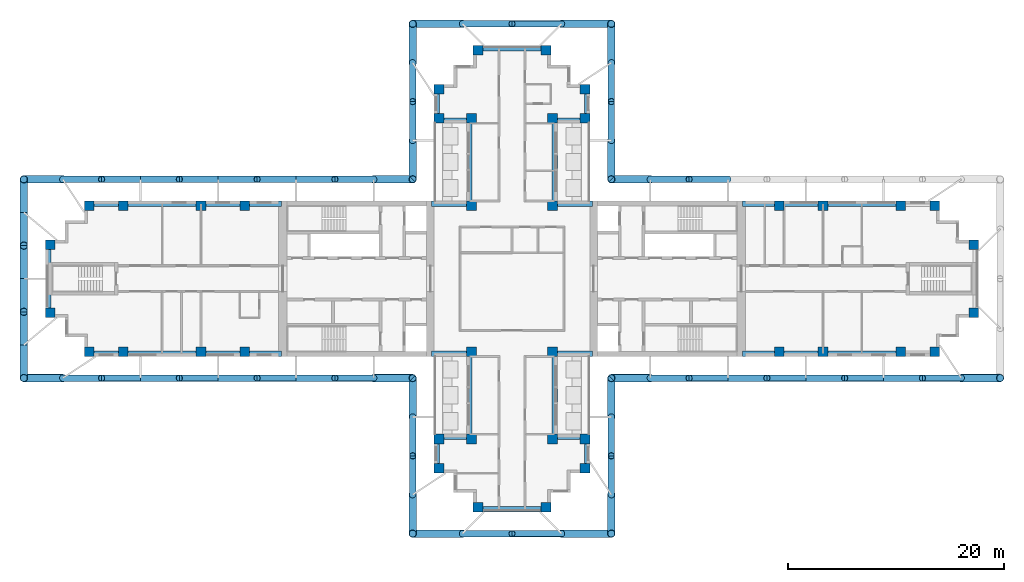
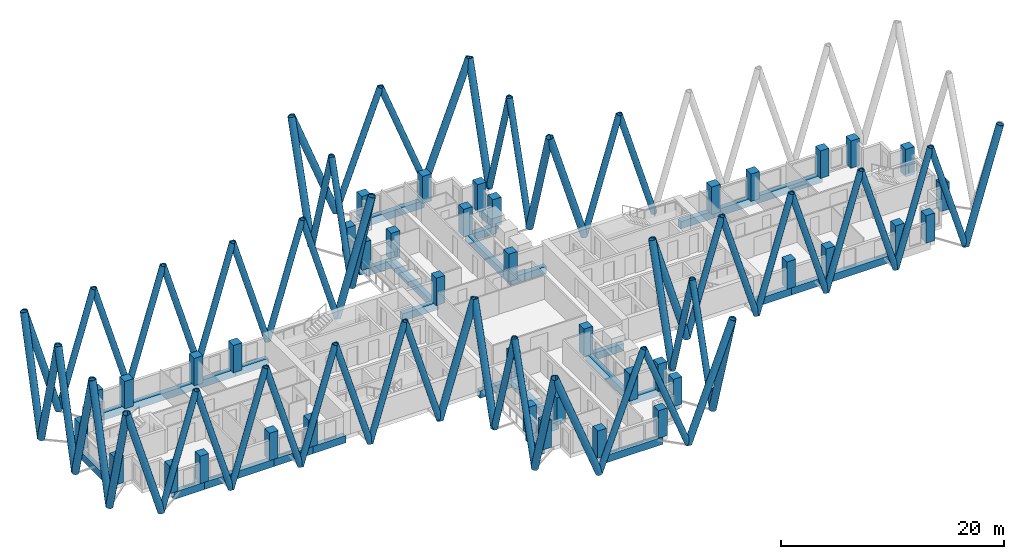
# One storey, part 1 of 12: 63 members, 40 columns, 33 beams.
"""IFC4 building model written with IfcOpenShell, lengths in metres."""

from ifc_helpers import new_model, si_unit, direction, frame, origin, origin_2d, place, context, subcontext, project, spatial, rectangle, hollow_circle, extrude, material, material_profile, profile_set, type_object, element, save


model = new_model("IFC4")

# Units and contexts
model_context = context("Model", 3, precision=1e-05, world=origin(), true_north=direction((0.0, 1.0)))
body_context = subcontext(model_context, "Body", "Model", "MODEL_VIEW")
ifc_project = project(units=[si_unit("LENGTHUNIT", "METRE"), si_unit("AREAUNIT", "SQUARE_METRE"), si_unit("VOLUMEUNIT", "CUBIC_METRE"), si_unit("PLANEANGLEUNIT", "RADIAN"), si_unit("MASSUNIT", "GRAM", prefix="KILO")], contexts=[model_context])

# Site, building, storey
site_placement = place(None, origin())
site = spatial("IfcSite", under=ifc_project, at=site_placement, CompositionType="ELEMENT")
building_placement = place(site_placement, origin())
building = spatial("IfcBuilding", under=site, at=building_placement, Name="Fustian Cross Tower", CompositionType="ELEMENT")
storey_placement = place(building_placement, frame((0.0, 0.0, 141.300048828125)))
storey = spatial("IfcBuildingStorey", under=building, at=storey_placement, Name="L44", CompositionType="ELEMENT", Elevation=141.300048828125)

# Columns
ifc_material_1 = material(Name="Concrete C50/60", Category="concrete")
ifc_material_profile_1 = material_profile(ifc_material_1, rectangle(XDim=0.89990234375, YDim=0.89990234375, at=origin_2d()), Name="RC 900x900")
ifc_profile_set_1 = profile_set([ifc_material_profile_1], Name="Concrete C50/60")
column_type = type_object("IfcColumnType", Name="COLUMN RC 900x900 C50/60", PredefinedType="COLUMN", material=ifc_profile_set_1)
for number, where, z_axis, x_axis, name in (
    (1, (-42.75, -3.14990234375, 0.0), (0.0, 0.0, 1.0), (1.0, 0.0, 0.0), "COLUMN 001"),
    (2, (-42.75, 3.14990234375, 0.0), (0.0, 0.0, 1.0), (1.0, 0.0, 0.0), "COLUMN 002"),
    (3, (-39.14990234375, -6.75, 0.0), (0.0, 0.0, 1.0), (1.0, 0.0, 0.0), "COLUMN 003"),
    (4, (-39.14990234375, 6.75, 0.0), (0.0, 0.0, 1.0), (1.0, 0.0, 0.0), "COLUMN 004"),
    (5, (-36.0, -6.75, 0.0), (0.0, 0.0, 1.0), (1.0, 0.0, 0.0), "COLUMN 005"),
    (6, (-36.0, 6.75, 0.0), (0.0, 0.0, 1.0), (1.0, 0.0, 0.0), "COLUMN 006"),
    (7, (-28.800048828125, -6.75, 0.0), (0.0, 0.0, 1.0), (1.0, 0.0, 0.0), "COLUMN 007"),
    (8, (-28.800048828125, 6.75, 0.0), (0.0, 0.0, 1.0), (1.0, 0.0, 0.0), "COLUMN 010"),
    (9, (-24.75, -6.75, 0.0), (0.0, 0.0, 1.0), (1.0, 0.0, 0.0), "COLUMN 011"),
    (10, (-24.75, 6.75, 0.0), (0.0, 0.0, 1.0), (1.0, 0.0, 0.0), "COLUMN 012"),
    (11, (-6.75, -17.550048828125, 0.0), (0.0, 0.0, 1.0), (1.0, 0.0, 0.0), "COLUMN 017"),
    (12, (-6.75, -14.85009765625, 0.0), (0.0, 0.0, 1.0), (1.0, 0.0, 0.0), "COLUMN 018"),
    (13, (-6.75, 14.85009765625, 0.0), (0.0, 0.0, 1.0), (1.0, 0.0, 0.0), "COLUMN 019"),
    (14, (-6.75, 17.550048828125, 0.0), (0.0, 0.0, 1.0), (1.0, 0.0, 0.0), "COLUMN 020"),
    (15, (-3.75, -14.85009765625, 0.0), (0.0, 0.0, 1.0), (1.0, 0.0, 0.0), "COLUMN 025"),
    (16, (-3.75, -6.75, 0.0), (0.0, 0.0, 1.0), (1.0, 0.0, 0.0), "COLUMN 026"),
    (17, (-3.75, 6.75, 0.0), (0.0, 0.0, 1.0), (1.0, 0.0, 0.0), "COLUMN 027"),
    (18, (-3.75, 14.85009765625, 0.0), (0.0, 0.0, 1.0), (1.0, 0.0, 0.0), "COLUMN 028"),
    (19, (-3.14990234375, -21.14990234375, 0.0), (0.0, 0.0, 1.0), (1.0, 0.0, 0.0), "COLUMN 030"),
    (20, (-3.14990234375, 21.14990234375, 0.0), (0.0, 0.0, 1.0), (1.0, 0.0, 0.0), "COLUMN 031"),
    (21, (3.14990234375, -21.14990234375, 0.0), (0.0, 0.0, 1.0), (1.0, 0.0, 0.0), "COLUMN 034"),
    (22, (3.14990234375, 21.14990234375, 0.0), (0.0, 0.0, 1.0), (1.0, 0.0, 0.0), "COLUMN 035"),
    (23, (3.75, -14.85009765625, 0.0), (0.0, 0.0, 1.0), (1.0, 0.0, 0.0), "COLUMN 037"),
    (24, (3.75, -6.75, 0.0), (0.0, 0.0, 1.0), (1.0, 0.0, 0.0), "COLUMN 038"),
    (25, (3.75, 6.75, 0.0), (0.0, 0.0, 1.0), (1.0, 0.0, 0.0), "COLUMN 039"),
    (26, (3.75, 14.85009765625, 0.0), (0.0, 0.0, 1.0), (1.0, 0.0, 0.0), "COLUMN 040"),
    (27, (6.75, -17.550048828125, 0.0), (0.0, 0.0, 1.0), (1.0, 0.0, 0.0), "COLUMN 045"),
    (28, (6.75, -14.85009765625, 0.0), (0.0, 0.0, 1.0), (1.0, 0.0, 0.0), "COLUMN 046"),
    (29, (6.75, 14.85009765625, 0.0), (0.0, 0.0, 1.0), (1.0, 0.0, 0.0), "COLUMN 047"),
    (30, (6.75, 17.550048828125, 0.0), (0.0, 0.0, 1.0), (1.0, 0.0, 0.0), "COLUMN 048"),
    (31, (24.75, -6.75, 0.0), (0.0, 0.0, 1.0), (1.0, 0.0, 0.0), "COLUMN 053"),
    (32, (24.75, 6.75, 0.0), (0.0, 0.0, 1.0), (1.0, 0.0, 0.0), "COLUMN 054"),
    (33, (28.800048828125, -6.75, 0.0), (0.0, 0.0, 1.0), (1.0, 0.0, 0.0), "COLUMN 055"),
    (34, (28.800048828125, 6.75, 0.0), (0.0, 0.0, 1.0), (1.0, 0.0, 0.0), "COLUMN 058"),
    (35, (36.0, -6.75, 0.0), (0.0, 0.0, 1.0), (1.0, 0.0, 0.0), "COLUMN 059"),
    (36, (36.0, 6.75, 0.0), (0.0, 0.0, 1.0), (1.0, 0.0, 0.0), "COLUMN 060"),
    (37, (39.14990234375, -6.75, 0.0), (0.0, 0.0, 1.0), (1.0, 0.0, 0.0), "COLUMN 061"),
    (38, (39.14990234375, 6.75, 0.0), (0.0, 0.0, 1.0), (1.0, 0.0, 0.0), "COLUMN 062"),
    (39, (42.75, -3.14990234375, 0.0), (0.0, 0.0, 1.0), (1.0, 0.0, 0.0), "COLUMN 063"),
    (40, (42.75, 3.14990234375, 0.0), (0.0, 0.0, 1.0), (1.0, 0.0, 0.0), "COLUMN 064"),
):
    element("IfcColumn", number, at=place(storey_placement, frame(where, z_axis=z_axis, x_axis=x_axis)), inside=storey, type_object=column_type, Name=name, PredefinedType="COLUMN", context=body_context, shape_type="SweptSolid", body=[
        extrude(rectangle(XDim=0.89990234375, YDim=0.89990234375, at=origin_2d()), origin(), (0.0, 0.0, 1.0), 3.0),
    ])

# Members
ifc_material_2 = material(Name="Steel S355", Category="steel")
ifc_material_profile_2 = material_profile(ifc_material_2, hollow_circle(Radius=0.3046875, WallThickness=0.02490234375, at=origin_2d()), Name="CHS 610x25")
ifc_profile_set_2 = profile_set([ifc_material_profile_2], Name="Steel S355")
member_type_1 = type_object("IfcMemberType", Name="DIAGRID DIAGONAL CHS 610x25", PredefinedType="BRACE", material=ifc_profile_set_2)
for number, where, z_axis, x_axis, name in (
    (41, (12.800048828125, -9.199951171875, 0.0), (0.287337158709, 0.0, 0.957829503213), (0.0, 1.0, 0.0), "Diagrid diagonal E-S 02"),
    (42, (20.0, -9.199951171875, 0.0), (-0.287355036744, 0.0, 0.957824139839), (0.0, -1.0, 0.0), "Diagrid diagonal E-S 03"),
    (43, (20.0, -9.199951171875, 0.0), (0.287355036744, 0.0, 0.957824139839), (0.0, 1.0, 0.0), "Diagrid diagonal E-S 04"),
    (44, (27.199951171875, -9.199951171875, 0.0), (-0.287337158709, 0.0, 0.957829503213), (0.0, -1.0, 0.0), "Diagrid diagonal E-S 05"),
    (45, (27.199951171875, -9.199951171875, 0.0), (0.287355036744, 0.0, 0.957824139839), (0.0, 1.0, 0.0), "Diagrid diagonal E-S 06"),
    (46, (34.39990234375, -9.199951171875, 0.0), (-0.287337158709, 0.0, 0.957829503213), (0.0, -1.0, 0.0), "Diagrid diagonal E-S 07"),
    (47, (34.39990234375, -9.199951171875, 0.0), (0.287355036744, 0.0, 0.957824139839), (0.0, 1.0, 0.0), "Diagrid diagonal E-S 08"),
    (48, (41.60009765625, -9.199951171875, 0.0), (-0.287355036744, 0.0, 0.957824139839), (0.0, -1.0, 0.0), "Diagrid diagonal E-S 09"),
    (49, (20.0, 9.199951171875, 0.0), (-0.287355036744, 0.0, 0.957824139839), (0.0, -1.0, 0.0), "Diagrid diagonal E-N 08"),
    (50, (12.800048828125, 9.199951171875, 0.0), (0.287337158709, 0.0, 0.957829503213), (0.0, 1.0, 0.0), "Diagrid diagonal E-N 09"),
    (51, (9.199951171875, 12.800048828125, 0.0), (0.0, 0.287337158709, 0.957829503213), (-1.0, 0.0, 0.0), "Diagrid diagonal N-E 02"),
    (52, (9.199951171875, 20.0, 0.0), (0.0, -0.287355036744, 0.957824139839), (1.0, 0.0, 0.0), "Diagrid diagonal N-E 03"),
):
    element("IfcMember", number, at=place(storey_placement, frame(where, z_axis=z_axis, x_axis=x_axis)), inside=storey, type_object=member_type_1, Name=name, PredefinedType="BRACE", context=body_context, shape_type="SweptSolid", body=[
        extrude(hollow_circle(Radius=0.3046875, WallThickness=0.02490234375, at=origin_2d()), origin(), (0.0, 0.0, 1.0), 12.5283203125),
    ])
for number, where, z_axis, x_axis, name in (
    (53, (4.60009765625, 23.60009765625, 0.0), (-0.3579426369, 0.0, 0.933743577589), (0.0, -1.0, 0.0), "Diagrid diagonal N-end 02"),
    (54, (-4.60009765625, 23.60009765625, 0.0), (0.3579426369, 0.0, 0.933743577589), (0.0, 1.0, 0.0), "Diagrid diagonal N-end 03"),
):
    element("IfcMember", number, at=place(storey_placement, frame(where, z_axis=z_axis, x_axis=x_axis)), inside=storey, type_object=member_type_1, Name=name, PredefinedType="BRACE", context=body_context, shape_type="SweptSolid", body=[
        extrude(hollow_circle(Radius=0.3046875, WallThickness=0.02490234375, at=origin_2d()), origin(), (0.0, 0.0, 1.0), 12.8515625),
    ])
for number, where, z_axis, x_axis, name in (
    (55, (-9.199951171875, 20.0, 0.0), (0.0, -0.287355036744, 0.957824139839), (1.0, 0.0, 0.0), "Diagrid diagonal N-W 02"),
    (56, (-9.199951171875, 12.800048828125, 0.0), (0.0, 0.287337158709, 0.957829503213), (-1.0, 0.0, 0.0), "Diagrid diagonal N-W 03"),
    (57, (-12.800048828125, 9.199951171875, 0.0), (-0.287337158709, 0.0, 0.957829503213), (0.0, -1.0, 0.0), "Diagrid diagonal W-N 02"),
    (58, (-20.0, 9.199951171875, 0.0), (0.287355036744, 0.0, 0.957824139839), (0.0, 1.0, 0.0), "Diagrid diagonal W-N 03"),
    (59, (-20.0, 9.199951171875, 0.0), (-0.287355036744, 0.0, 0.957824139839), (0.0, -1.0, 0.0), "Diagrid diagonal W-N 04"),
    (60, (-27.199951171875, 9.199951171875, 0.0), (0.287337158709, 0.0, 0.957829503213), (0.0, 1.0, 0.0), "Diagrid diagonal W-N 05"),
    (61, (-27.199951171875, 9.199951171875, 0.0), (-0.287355036744, 0.0, 0.957824139839), (0.0, -1.0, 0.0), "Diagrid diagonal W-N 06"),
    (62, (-34.39990234375, 9.199951171875, 0.0), (0.287337158709, 0.0, 0.957829503213), (0.0, 1.0, 0.0), "Diagrid diagonal W-N 07"),
    (63, (-34.39990234375, 9.199951171875, 0.0), (-0.287355036744, 0.0, 0.957824139839), (0.0, -1.0, 0.0), "Diagrid diagonal W-N 08"),
    (64, (-41.60009765625, 9.199951171875, 0.0), (0.287355036744, 0.0, 0.957824139839), (0.0, 1.0, 0.0), "Diagrid diagonal W-N 09"),
    (65, (-41.60009765625, -9.199951171875, 0.0), (0.287355036744, 0.0, 0.957824139839), (0.0, 1.0, 0.0), "Diagrid diagonal W-S 02"),
    (66, (-34.39990234375, -9.199951171875, 0.0), (-0.287355036744, 0.0, 0.957824139839), (0.0, -1.0, 0.0), "Diagrid diagonal W-S 03"),
    (67, (-34.39990234375, -9.199951171875, 0.0), (0.287337158709, 0.0, 0.957829503213), (0.0, 1.0, 0.0), "Diagrid diagonal W-S 04"),
    (68, (-27.199951171875, -9.199951171875, 0.0), (-0.287355036744, 0.0, 0.957824139839), (0.0, -1.0, 0.0), "Diagrid diagonal W-S 05"),
    (69, (-27.199951171875, -9.199951171875, 0.0), (0.287337158709, 0.0, 0.957829503213), (0.0, 1.0, 0.0), "Diagrid diagonal W-S 06"),
    (70, (-20.0, -9.199951171875, 0.0), (-0.287355036744, 0.0, 0.957824139839), (0.0, -1.0, 0.0), "Diagrid diagonal W-S 07"),
    (71, (-20.0, -9.199951171875, 0.0), (0.287355036744, 0.0, 0.957824139839), (0.0, 1.0, 0.0), "Diagrid diagonal W-S 08"),
    (72, (-12.800048828125, -9.199951171875, 0.0), (-0.287337158709, 0.0, 0.957829503213), (0.0, -1.0, 0.0), "Diagrid diagonal W-S 09"),
    (73, (-9.199951171875, -12.800048828125, 0.0), (0.0, -0.287337158709, 0.957829503213), (1.0, 0.0, 0.0), "Diagrid diagonal S-W 02"),
    (74, (-9.199951171875, -20.0, 0.0), (0.0, 0.287355036744, 0.957824139839), (-1.0, 0.0, 0.0), "Diagrid diagonal S-W 03"),
):
    element("IfcMember", number, at=place(storey_placement, frame(where, z_axis=z_axis, x_axis=x_axis)), inside=storey, type_object=member_type_1, Name=name, PredefinedType="BRACE", context=body_context, shape_type="SweptSolid", body=[
        extrude(hollow_circle(Radius=0.3046875, WallThickness=0.02490234375, at=origin_2d()), origin(), (0.0, 0.0, 1.0), 12.5283203125),
    ])
for number, where, z_axis, x_axis, name in (
    (75, (-4.60009765625, -23.60009765625, 0.0), (0.3579426369, 0.0, 0.933743577589), (0.0, 1.0, 0.0), "Diagrid diagonal S-end 02"),
    (76, (4.60009765625, -23.60009765625, 0.0), (-0.3579426369, 0.0, 0.933743577589), (0.0, -1.0, 0.0), "Diagrid diagonal S-end 03"),
):
    element("IfcMember", number, at=place(storey_placement, frame(where, z_axis=z_axis, x_axis=x_axis)), inside=storey, type_object=member_type_1, Name=name, PredefinedType="BRACE", context=body_context, shape_type="SweptSolid", body=[
        extrude(hollow_circle(Radius=0.3046875, WallThickness=0.02490234375, at=origin_2d()), origin(), (0.0, 0.0, 1.0), 12.8515625),
    ])
for number, where, z_axis, x_axis, name in (
    (77, (9.199951171875, -20.0, 0.0), (0.0, 0.287355036744, 0.957824139839), (-1.0, 0.0, 0.0), "Diagrid diagonal S-E 02"),
    (78, (9.199951171875, -12.800048828125, 0.0), (0.0, -0.287337158709, 0.957829503213), (1.0, 0.0, 0.0), "Diagrid diagonal S-E 03"),
):
    element("IfcMember", number, at=place(storey_placement, frame(where, z_axis=z_axis, x_axis=x_axis)), inside=storey, type_object=member_type_1, Name=name, PredefinedType="BRACE", context=body_context, shape_type="SweptSolid", body=[
        extrude(hollow_circle(Radius=0.3046875, WallThickness=0.02490234375, at=origin_2d()), origin(), (0.0, 0.0, 1.0), 12.5283203125),
    ])
ifc_material_3 = material(Name="Steel S355", Category="steel")
ifc_material_profile_3 = material_profile(ifc_material_3, hollow_circle(Radius=0.355712890625, WallThickness=0.031982421875, at=origin_2d()), Name="CHS 711x32")
ifc_profile_set_3 = profile_set([ifc_material_profile_3], Name="Steel S355")
member_type_2 = type_object("IfcMemberType", Name="DIAGRID DIAGONAL CHS 711x32", PredefinedType="BRACE", material=ifc_profile_set_3)
for number, where, z_axis, x_axis, name in (
    (79, (12.800048828125, -9.199951171875, 0.0), (-0.287355036744, 0.0, 0.957824139839), (0.0, -1.0, 0.0), "Diagrid diagonal E-S 01"),
    (80, (41.60009765625, -9.199951171875, 0.0), (0.287337158709, 0.0, 0.957829503213), (0.0, 1.0, 0.0), "Diagrid diagonal E-S 10"),
    (81, (12.800048828125, 9.199951171875, 0.0), (-0.287355036744, 0.0, 0.957824139839), (0.0, -1.0, 0.0), "Diagrid diagonal E-N 10"),
    (82, (9.199951171875, 12.800048828125, 0.0), (0.0, -0.287355036744, 0.957824139839), (1.0, 0.0, 0.0), "Diagrid diagonal N-E 01"),
    (83, (9.199951171875, 20.0, 0.0), (0.0, 0.287355036744, 0.957824139839), (-1.0, 0.0, 0.0), "Diagrid diagonal N-E 04"),
):
    element("IfcMember", number, at=place(storey_placement, frame(where, z_axis=z_axis, x_axis=x_axis)), inside=storey, type_object=member_type_2, Name=name, PredefinedType="BRACE", context=body_context, shape_type="SweptSolid", body=[
        extrude(hollow_circle(Radius=0.355712890625, WallThickness=0.031982421875, at=origin_2d()), origin(), (0.0, 0.0, 1.0), 12.5283203125),
    ])
for number, where, z_axis, x_axis, name in (
    (84, (4.60009765625, 23.60009765625, 0.0), (0.357926073629, 0.0, 0.933749926809), (0.0, 1.0, 0.0), "Diagrid diagonal N-end 01"),
    (85, (-4.60009765625, 23.60009765625, 0.0), (-0.357926073629, 0.0, 0.933749926809), (0.0, -1.0, 0.0), "Diagrid diagonal N-end 04"),
):
    element("IfcMember", number, at=place(storey_placement, frame(where, z_axis=z_axis, x_axis=x_axis)), inside=storey, type_object=member_type_2, Name=name, PredefinedType="BRACE", context=body_context, shape_type="SweptSolid", body=[
        extrude(hollow_circle(Radius=0.355712890625, WallThickness=0.031982421875, at=origin_2d()), origin(), (0.0, 0.0, 1.0), 12.851318359375),
    ])
for number, where, z_axis, x_axis, name in (
    (86, (-9.199951171875, 20.0, 0.0), (0.0, 0.287355036744, 0.957824139839), (-1.0, 0.0, 0.0), "Diagrid diagonal N-W 01"),
    (87, (-9.199951171875, 12.800048828125, 0.0), (0.0, -0.287355036744, 0.957824139839), (1.0, 0.0, 0.0), "Diagrid diagonal N-W 04"),
    (88, (-12.800048828125, 9.199951171875, 0.0), (0.287355036744, 0.0, 0.957824139839), (0.0, 1.0, 0.0), "Diagrid diagonal W-N 01"),
    (89, (-41.60009765625, 9.199951171875, 0.0), (-0.287337158709, 0.0, 0.957829503213), (0.0, -1.0, 0.0), "Diagrid diagonal W-N 10"),
):
    element("IfcMember", number, at=place(storey_placement, frame(where, z_axis=z_axis, x_axis=x_axis)), inside=storey, type_object=member_type_2, Name=name, PredefinedType="BRACE", context=body_context, shape_type="SweptSolid", body=[
        extrude(hollow_circle(Radius=0.355712890625, WallThickness=0.031982421875, at=origin_2d()), origin(), (0.0, 0.0, 1.0), 12.5283203125),
    ])
for number, where, z_axis, x_axis, name in (
    (90, (-45.199951171875, 6.13330078125, 0.0), (0.0, 0.247597033967, 0.96886310115), (-1.0, 0.0, 0.0), "Diagrid diagonal W-end 01"),
    (91, (-45.199951171875, 6.13330078125, 0.0), (0.0, -0.247597033967, 0.96886310115), (1.0, 0.0, 0.0), "Diagrid diagonal W-end 02"),
    (92, (-45.199951171875, 0.0, 0.0), (0.0, 0.247597033967, 0.96886310115), (-1.0, 0.0, 0.0), "Diagrid diagonal W-end 03"),
    (93, (-45.199951171875, 0.0, 0.0), (0.0, -0.247597033967, 0.96886310115), (1.0, 0.0, 0.0), "Diagrid diagonal W-end 04"),
    (94, (-45.199951171875, -6.13330078125, 0.0), (0.0, 0.247597033967, 0.96886310115), (-1.0, 0.0, 0.0), "Diagrid diagonal W-end 05"),
    (95, (-45.199951171875, -6.13330078125, 0.0), (0.0, -0.247597033967, 0.96886310115), (1.0, 0.0, 0.0), "Diagrid diagonal W-end 06"),
):
    element("IfcMember", number, at=place(storey_placement, frame(where, z_axis=z_axis, x_axis=x_axis)), inside=storey, type_object=member_type_2, Name=name, PredefinedType="BRACE", context=body_context, shape_type="SweptSolid", body=[
        extrude(hollow_circle(Radius=0.355712890625, WallThickness=0.031982421875, at=origin_2d()), origin(), (0.0, 0.0, 1.0), 12.3857421875),
    ])
for number, where, z_axis, x_axis, name in (
    (96, (-41.60009765625, -9.199951171875, 0.0), (-0.287337158709, 0.0, 0.957829503213), (0.0, -1.0, 0.0), "Diagrid diagonal W-S 01"),
    (97, (-12.800048828125, -9.199951171875, 0.0), (0.287355036744, 0.0, 0.957824139839), (0.0, 1.0, 0.0), "Diagrid diagonal W-S 10"),
    (98, (-9.199951171875, -12.800048828125, 0.0), (0.0, 0.287355036744, 0.957824139839), (-1.0, 0.0, 0.0), "Diagrid diagonal S-W 01"),
    (99, (-9.199951171875, -20.0, 0.0), (0.0, -0.287355036744, 0.957824139839), (1.0, 0.0, 0.0), "Diagrid diagonal S-W 04"),
):
    element("IfcMember", number, at=place(storey_placement, frame(where, z_axis=z_axis, x_axis=x_axis)), inside=storey, type_object=member_type_2, Name=name, PredefinedType="BRACE", context=body_context, shape_type="SweptSolid", body=[
        extrude(hollow_circle(Radius=0.355712890625, WallThickness=0.031982421875, at=origin_2d()), origin(), (0.0, 0.0, 1.0), 12.5283203125),
    ])
for number, where, z_axis, x_axis, name in (
    (100, (-4.60009765625, -23.60009765625, 0.0), (-0.357926073629, 0.0, 0.933749926809), (0.0, -1.0, 0.0), "Diagrid diagonal S-end 01"),
    (101, (4.60009765625, -23.60009765625, 0.0), (0.357926073629, 0.0, 0.933749926809), (0.0, 1.0, 0.0), "Diagrid diagonal S-end 04"),
):
    element("IfcMember", number, at=place(storey_placement, frame(where, z_axis=z_axis, x_axis=x_axis)), inside=storey, type_object=member_type_2, Name=name, PredefinedType="BRACE", context=body_context, shape_type="SweptSolid", body=[
        extrude(hollow_circle(Radius=0.355712890625, WallThickness=0.031982421875, at=origin_2d()), origin(), (0.0, 0.0, 1.0), 12.851318359375),
    ])
for number, where, z_axis, x_axis, name in (
    (102, (9.199951171875, -20.0, 0.0), (0.0, -0.287355036744, 0.957824139839), (1.0, 0.0, 0.0), "Diagrid diagonal S-E 01"),
    (103, (9.199951171875, -12.800048828125, 0.0), (0.0, 0.287355036744, 0.957824139839), (-1.0, 0.0, 0.0), "Diagrid diagonal S-E 04"),
):
    element("IfcMember", number, at=place(storey_placement, frame(where, z_axis=z_axis, x_axis=x_axis)), inside=storey, type_object=member_type_2, Name=name, PredefinedType="BRACE", context=body_context, shape_type="SweptSolid", body=[
        extrude(hollow_circle(Radius=0.355712890625, WallThickness=0.031982421875, at=origin_2d()), origin(), (0.0, 0.0, 1.0), 12.5283203125),
    ])

# Beams
ifc_material_4 = material(Name="Concrete C50/60", Category="concrete")
ifc_material_profile_4 = material_profile(ifc_material_4, rectangle(XDim=0.5, YDim=0.800048828125, at=origin_2d()), Name="RC 500x800")
ifc_profile_set_4 = profile_set([ifc_material_profile_4], Name="Concrete C50/60")
beam_type = type_object("IfcBeamType", Name="EDGE BEAM RC 500x800 C50/60", PredefinedType="SPANDREL", material=ifc_profile_set_4)
beam_1_placement = place(storey_placement, frame((21.35009765625, -6.949951171875, -0.400146484375), z_axis=(1.0, 0.0, 0.0), x_axis=(0.0, 1.0, 0.0)))
element("IfcBeam", 104, at=beam_1_placement, inside=storey, type_object=beam_type, Name="EDGE BEAM L44-01", PredefinedType="SPANDREL", context=body_context, shape_type="SweptSolid", body=[
    extrude(rectangle(XDim=0.5, YDim=0.800048828125, at=origin_2d()), origin(), (0.0, 0.0, 1.0), 3.39990234375),
])
beam_2_placement = place(storey_placement, frame((24.75, -6.949951171875, -0.400146484375), z_axis=(1.0, 0.0, 0.0), x_axis=(0.0, 1.0, 0.0)))
element("IfcBeam", 105, at=beam_2_placement, inside=storey, type_object=beam_type, Name="EDGE BEAM L44-02", PredefinedType="SPANDREL", context=body_context, shape_type="SweptSolid", body=[
    extrude(rectangle(XDim=0.5, YDim=0.800048828125, at=origin_2d()), origin(), (0.0, 0.0, 1.0), 4.050048828125),
])
for number, where, z_axis, x_axis, name in (
    (106, (28.800048828125, -6.949951171875, -0.400146484375), (1.0, 0.0, 0.0), (0.0, 1.0, 0.0), "EDGE BEAM L44-03"),
    (107, (36.0, 6.949951171875, -0.400146484375), (-1.0, 0.0, 0.0), (0.0, -1.0, 0.0), "EDGE BEAM L44-07"),
):
    element("IfcBeam", number, at=place(storey_placement, frame(where, z_axis=z_axis, x_axis=x_axis)), inside=storey, type_object=beam_type, Name=name, PredefinedType="SPANDREL", context=body_context, shape_type="SweptSolid", body=[
        extrude(rectangle(XDim=0.5, YDim=0.800048828125, at=origin_2d()), origin(), (0.0, 0.0, 1.0), 7.199951171875),
    ])
beam_3_placement = place(storey_placement, frame((28.800048828125, 6.949951171875, -0.400146484375), z_axis=(-1.0, 0.0, 0.0), x_axis=(0.0, -1.0, 0.0)))
element("IfcBeam", 108, at=beam_3_placement, inside=storey, type_object=beam_type, Name="EDGE BEAM L44-08", PredefinedType="SPANDREL", context=body_context, shape_type="SweptSolid", body=[
    extrude(rectangle(XDim=0.5, YDim=0.800048828125, at=origin_2d()), origin(), (0.0, 0.0, 1.0), 4.050048828125),
])
beam_4_placement = place(storey_placement, frame((24.75, 6.949951171875, -0.400146484375), z_axis=(-1.0, 0.0, 0.0), x_axis=(0.0, -1.0, 0.0)))
element("IfcBeam", 109, at=beam_4_placement, inside=storey, type_object=beam_type, Name="EDGE BEAM L44-09", PredefinedType="SPANDREL", context=body_context, shape_type="SweptSolid", body=[
    extrude(rectangle(XDim=0.5, YDim=0.800048828125, at=origin_2d()), origin(), (0.0, 0.0, 1.0), 3.39990234375),
])
beam_5_placement = place(storey_placement, frame((7.449951171875, 6.949951171875, -0.400146484375), z_axis=(-1.0, 0.0, 0.0), x_axis=(0.0, -1.0, 0.0)))
element("IfcBeam", 110, at=beam_5_placement, inside=storey, type_object=beam_type, Name="EDGE BEAM L44-10", PredefinedType="SPANDREL", context=body_context, shape_type="SweptSolid", body=[
    extrude(rectangle(XDim=0.5, YDim=0.800048828125, at=origin_2d()), origin(), (0.0, 0.0, 1.0), 3.699951171875),
])
beam_6_placement = place(storey_placement, frame((3.949951171875, 6.75, -0.400146484375), z_axis=(0.0, 1.0, 0.0), x_axis=(-1.0, 0.0, 0.0)))
element("IfcBeam", 111, at=beam_6_placement, inside=storey, type_object=beam_type, Name="EDGE BEAM L44-11", PredefinedType="SPANDREL", context=body_context, shape_type="SweptSolid", body=[
    extrude(rectangle(XDim=0.5, YDim=0.800048828125, at=origin_2d()), origin(), (0.0, 0.0, 1.0), 8.10009765625),
])
beam_7_placement = place(storey_placement, frame((3.75, 14.64990234375, -0.400146484375), z_axis=(1.0, 0.0, 0.0), x_axis=(0.0, 1.0, 0.0)))
element("IfcBeam", 112, at=beam_7_placement, inside=storey, type_object=beam_type, Name="EDGE BEAM L44-12", PredefinedType="SPANDREL", context=body_context, shape_type="SweptSolid", body=[
    extrude(rectangle(XDim=0.5, YDim=0.800048828125, at=origin_2d()), origin(), (0.0, 0.0, 1.0), 3.0),
])
beam_8_placement = place(storey_placement, frame((6.949951171875, 14.85009765625, -0.400146484375), z_axis=(0.0, 1.0, 0.0), x_axis=(-1.0, 0.0, 0.0)))
element("IfcBeam", 113, at=beam_8_placement, inside=storey, type_object=beam_type, Name="EDGE BEAM L44-13", PredefinedType="SPANDREL", context=body_context, shape_type="SweptSolid", body=[
    extrude(rectangle(XDim=0.5, YDim=0.800048828125, at=origin_2d()), origin(), (0.0, 0.0, 1.0), 2.699951171875),
])
beam_9_placement = place(storey_placement, frame((3.14990234375, 21.35009765625, -0.400146484375), z_axis=(-1.0, 0.0, 0.0), x_axis=(0.0, -1.0, 0.0)))
element("IfcBeam", 114, at=beam_9_placement, inside=storey, type_object=beam_type, Name="EDGE BEAM L44-14", PredefinedType="SPANDREL", context=body_context, shape_type="SweptSolid", body=[
    extrude(rectangle(XDim=0.5, YDim=0.800048828125, at=origin_2d()), origin(), (0.0, 0.0, 1.0), 6.2998046875),
])
beam_10_placement = place(storey_placement, frame((-6.949951171875, 17.550048828125, -0.400146484375), z_axis=(0.0, -1.0, 0.0), x_axis=(1.0, 0.0, 0.0)))
element("IfcBeam", 115, at=beam_10_placement, inside=storey, type_object=beam_type, Name="EDGE BEAM L44-15", PredefinedType="SPANDREL", context=body_context, shape_type="SweptSolid", body=[
    extrude(rectangle(XDim=0.5, YDim=0.800048828125, at=origin_2d()), origin(), (0.0, 0.0, 1.0), 2.699951171875),
])
beam_11_placement = place(storey_placement, frame((-6.75, 14.64990234375, -0.400146484375), z_axis=(1.0, 0.0, 0.0), x_axis=(0.0, 1.0, 0.0)))
element("IfcBeam", 116, at=beam_11_placement, inside=storey, type_object=beam_type, Name="EDGE BEAM L44-16", PredefinedType="SPANDREL", context=body_context, shape_type="SweptSolid", body=[
    extrude(rectangle(XDim=0.5, YDim=0.800048828125, at=origin_2d()), origin(), (0.0, 0.0, 1.0), 3.0),
])
beam_12_placement = place(storey_placement, frame((-3.949951171875, 14.85009765625, -0.400146484375), z_axis=(0.0, -1.0, 0.0), x_axis=(1.0, 0.0, 0.0)))
element("IfcBeam", 117, at=beam_12_placement, inside=storey, type_object=beam_type, Name="EDGE BEAM L44-17", PredefinedType="SPANDREL", context=body_context, shape_type="SweptSolid", body=[
    extrude(rectangle(XDim=0.5, YDim=0.800048828125, at=origin_2d()), origin(), (0.0, 0.0, 1.0), 8.10009765625),
])
beam_13_placement = place(storey_placement, frame((-3.75, 6.949951171875, -0.400146484375), z_axis=(-1.0, 0.0, 0.0), x_axis=(0.0, -1.0, 0.0)))
element("IfcBeam", 118, at=beam_13_placement, inside=storey, type_object=beam_type, Name="EDGE BEAM L44-18", PredefinedType="SPANDREL", context=body_context, shape_type="SweptSolid", body=[
    extrude(rectangle(XDim=0.5, YDim=0.800048828125, at=origin_2d()), origin(), (0.0, 0.0, 1.0), 3.699951171875),
])
beam_14_placement = place(storey_placement, frame((-21.35009765625, 6.949951171875, -0.400146484375), z_axis=(-1.0, 0.0, 0.0), x_axis=(0.0, -1.0, 0.0)))
element("IfcBeam", 119, at=beam_14_placement, inside=storey, type_object=beam_type, Name="EDGE BEAM L44-19", PredefinedType="SPANDREL", context=body_context, shape_type="SweptSolid", body=[
    extrude(rectangle(XDim=0.5, YDim=0.800048828125, at=origin_2d()), origin(), (0.0, 0.0, 1.0), 3.39990234375),
])
beam_15_placement = place(storey_placement, frame((-24.75, 6.949951171875, -0.400146484375), z_axis=(-1.0, 0.0, 0.0), x_axis=(0.0, -1.0, 0.0)))
element("IfcBeam", 120, at=beam_15_placement, inside=storey, type_object=beam_type, Name="EDGE BEAM L44-20", PredefinedType="SPANDREL", context=body_context, shape_type="SweptSolid", body=[
    extrude(rectangle(XDim=0.5, YDim=0.800048828125, at=origin_2d()), origin(), (0.0, 0.0, 1.0), 4.050048828125),
])
beam_16_placement = place(storey_placement, frame((-28.800048828125, 6.949951171875, -0.400146484375), z_axis=(-1.0, 0.0, 0.0), x_axis=(0.0, -1.0, 0.0)))
element("IfcBeam", 121, at=beam_16_placement, inside=storey, type_object=beam_type, Name="EDGE BEAM L44-21", PredefinedType="SPANDREL", context=body_context, shape_type="SweptSolid", body=[
    extrude(rectangle(XDim=0.5, YDim=0.800048828125, at=origin_2d()), origin(), (0.0, 0.0, 1.0), 7.199951171875),
])
beam_17_placement = place(storey_placement, frame((-36.0, 6.949951171875, -0.400146484375), z_axis=(-1.0, 0.0, 0.0), x_axis=(0.0, -1.0, 0.0)))
element("IfcBeam", 122, at=beam_17_placement, inside=storey, type_object=beam_type, Name="EDGE BEAM L44-22", PredefinedType="SPANDREL", context=body_context, shape_type="SweptSolid", body=[
    extrude(rectangle(XDim=0.5, YDim=0.800048828125, at=origin_2d()), origin(), (0.0, 0.0, 1.0), 3.14990234375),
])
beam_18_placement = place(storey_placement, frame((-42.949951171875, 3.14990234375, -0.400146484375), z_axis=(0.0, -1.0, 0.0), x_axis=(1.0, 0.0, 0.0)))
element("IfcBeam", 123, at=beam_18_placement, inside=storey, type_object=beam_type, Name="EDGE BEAM L44-23", PredefinedType="SPANDREL", context=body_context, shape_type="SweptSolid", body=[
    extrude(rectangle(XDim=0.5, YDim=0.800048828125, at=origin_2d()), origin(), (0.0, 0.0, 1.0), 6.2998046875),
])
beam_19_placement = place(storey_placement, frame((-39.14990234375, -6.949951171875, -0.400146484375), z_axis=(1.0, 0.0, 0.0), x_axis=(0.0, 1.0, 0.0)))
element("IfcBeam", 124, at=beam_19_placement, inside=storey, type_object=beam_type, Name="EDGE BEAM L44-24", PredefinedType="SPANDREL", context=body_context, shape_type="SweptSolid", body=[
    extrude(rectangle(XDim=0.5, YDim=0.800048828125, at=origin_2d()), origin(), (0.0, 0.0, 1.0), 3.14990234375),
])
beam_20_placement = place(storey_placement, frame((-36.0, -6.949951171875, -0.400146484375), z_axis=(1.0, 0.0, 0.0), x_axis=(0.0, 1.0, 0.0)))
element("IfcBeam", 125, at=beam_20_placement, inside=storey, type_object=beam_type, Name="EDGE BEAM L44-25", PredefinedType="SPANDREL", context=body_context, shape_type="SweptSolid", body=[
    extrude(rectangle(XDim=0.5, YDim=0.800048828125, at=origin_2d()), origin(), (0.0, 0.0, 1.0), 7.199951171875),
])
beam_21_placement = place(storey_placement, frame((-28.800048828125, -6.949951171875, -0.400146484375), z_axis=(1.0, 0.0, 0.0), x_axis=(0.0, 1.0, 0.0)))
element("IfcBeam", 126, at=beam_21_placement, inside=storey, type_object=beam_type, Name="EDGE BEAM L44-26", PredefinedType="SPANDREL", context=body_context, shape_type="SweptSolid", body=[
    extrude(rectangle(XDim=0.5, YDim=0.800048828125, at=origin_2d()), origin(), (0.0, 0.0, 1.0), 4.050048828125),
])
beam_22_placement = place(storey_placement, frame((-24.75, -6.949951171875, -0.400146484375), z_axis=(1.0, 0.0, 0.0), x_axis=(0.0, 1.0, 0.0)))
element("IfcBeam", 127, at=beam_22_placement, inside=storey, type_object=beam_type, Name="EDGE BEAM L44-27", PredefinedType="SPANDREL", context=body_context, shape_type="SweptSolid", body=[
    extrude(rectangle(XDim=0.5, YDim=0.800048828125, at=origin_2d()), origin(), (0.0, 0.0, 1.0), 3.39990234375),
])
beam_23_placement = place(storey_placement, frame((-7.449951171875, -6.949951171875, -0.400146484375), z_axis=(1.0, 0.0, 0.0), x_axis=(0.0, 1.0, 0.0)))
element("IfcBeam", 128, at=beam_23_placement, inside=storey, type_object=beam_type, Name="EDGE BEAM L44-28", PredefinedType="SPANDREL", context=body_context, shape_type="SweptSolid", body=[
    extrude(rectangle(XDim=0.5, YDim=0.800048828125, at=origin_2d()), origin(), (0.0, 0.0, 1.0), 3.699951171875),
])
beam_24_placement = place(storey_placement, frame((-3.949951171875, -6.75, -0.400146484375), z_axis=(0.0, -1.0, 0.0), x_axis=(1.0, 0.0, 0.0)))
element("IfcBeam", 129, at=beam_24_placement, inside=storey, type_object=beam_type, Name="EDGE BEAM L44-29", PredefinedType="SPANDREL", context=body_context, shape_type="SweptSolid", body=[
    extrude(rectangle(XDim=0.5, YDim=0.800048828125, at=origin_2d()), origin(), (0.0, 0.0, 1.0), 8.10009765625),
])
beam_25_placement = place(storey_placement, frame((-3.75, -14.64990234375, -0.400146484375), z_axis=(-1.0, 0.0, 0.0), x_axis=(0.0, -1.0, 0.0)))
element("IfcBeam", 130, at=beam_25_placement, inside=storey, type_object=beam_type, Name="EDGE BEAM L44-30", PredefinedType="SPANDREL", context=body_context, shape_type="SweptSolid", body=[
    extrude(rectangle(XDim=0.5, YDim=0.800048828125, at=origin_2d()), origin(), (0.0, 0.0, 1.0), 3.0),
])
beam_26_placement = place(storey_placement, frame((-6.949951171875, -14.85009765625, -0.400146484375), z_axis=(0.0, -1.0, 0.0), x_axis=(1.0, 0.0, 0.0)))
element("IfcBeam", 131, at=beam_26_placement, inside=storey, type_object=beam_type, Name="EDGE BEAM L44-31", PredefinedType="SPANDREL", context=body_context, shape_type="SweptSolid", body=[
    extrude(rectangle(XDim=0.5, YDim=0.800048828125, at=origin_2d()), origin(), (0.0, 0.0, 1.0), 2.699951171875),
])
beam_27_placement = place(storey_placement, frame((-3.14990234375, -21.35009765625, -0.400146484375), z_axis=(1.0, 0.0, 0.0), x_axis=(0.0, 1.0, 0.0)))
element("IfcBeam", 132, at=beam_27_placement, inside=storey, type_object=beam_type, Name="EDGE BEAM L44-32", PredefinedType="SPANDREL", context=body_context, shape_type="SweptSolid", body=[
    extrude(rectangle(XDim=0.5, YDim=0.800048828125, at=origin_2d()), origin(), (0.0, 0.0, 1.0), 6.2998046875),
])
beam_28_placement = place(storey_placement, frame((6.949951171875, -17.550048828125, -0.400146484375), z_axis=(0.0, 1.0, 0.0), x_axis=(-1.0, 0.0, 0.0)))
element("IfcBeam", 133, at=beam_28_placement, inside=storey, type_object=beam_type, Name="EDGE BEAM L44-33", PredefinedType="SPANDREL", context=body_context, shape_type="SweptSolid", body=[
    extrude(rectangle(XDim=0.5, YDim=0.800048828125, at=origin_2d()), origin(), (0.0, 0.0, 1.0), 2.699951171875),
])
beam_29_placement = place(storey_placement, frame((6.75, -14.64990234375, -0.400146484375), z_axis=(-1.0, 0.0, 0.0), x_axis=(0.0, -1.0, 0.0)))
element("IfcBeam", 134, at=beam_29_placement, inside=storey, type_object=beam_type, Name="EDGE BEAM L44-34", PredefinedType="SPANDREL", context=body_context, shape_type="SweptSolid", body=[
    extrude(rectangle(XDim=0.5, YDim=0.800048828125, at=origin_2d()), origin(), (0.0, 0.0, 1.0), 3.0),
])
beam_30_placement = place(storey_placement, frame((3.949951171875, -14.85009765625, -0.400146484375), z_axis=(0.0, 1.0, 0.0), x_axis=(-1.0, 0.0, 0.0)))
element("IfcBeam", 135, at=beam_30_placement, inside=storey, type_object=beam_type, Name="EDGE BEAM L44-35", PredefinedType="SPANDREL", context=body_context, shape_type="SweptSolid", body=[
    extrude(rectangle(XDim=0.5, YDim=0.800048828125, at=origin_2d()), origin(), (0.0, 0.0, 1.0), 8.10009765625),
])
beam_31_placement = place(storey_placement, frame((3.75, -6.949951171875, -0.400146484375), z_axis=(1.0, 0.0, 0.0), x_axis=(0.0, 1.0, 0.0)))
element("IfcBeam", 136, at=beam_31_placement, inside=storey, type_object=beam_type, Name="EDGE BEAM L44-36", PredefinedType="SPANDREL", context=body_context, shape_type="SweptSolid", body=[
    extrude(rectangle(XDim=0.5, YDim=0.800048828125, at=origin_2d()), origin(), (0.0, 0.0, 1.0), 3.699951171875),
])

save(model, "model.ifc")
